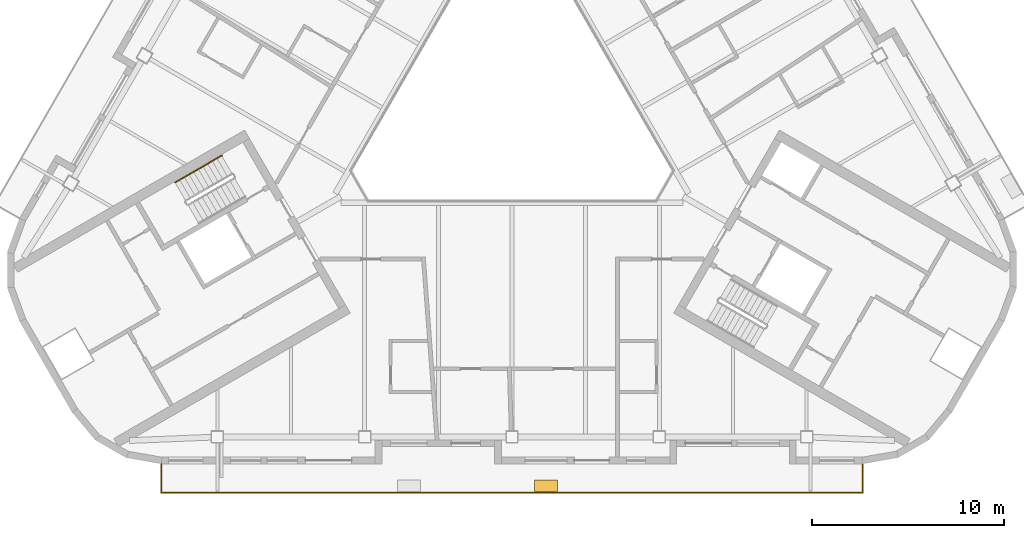
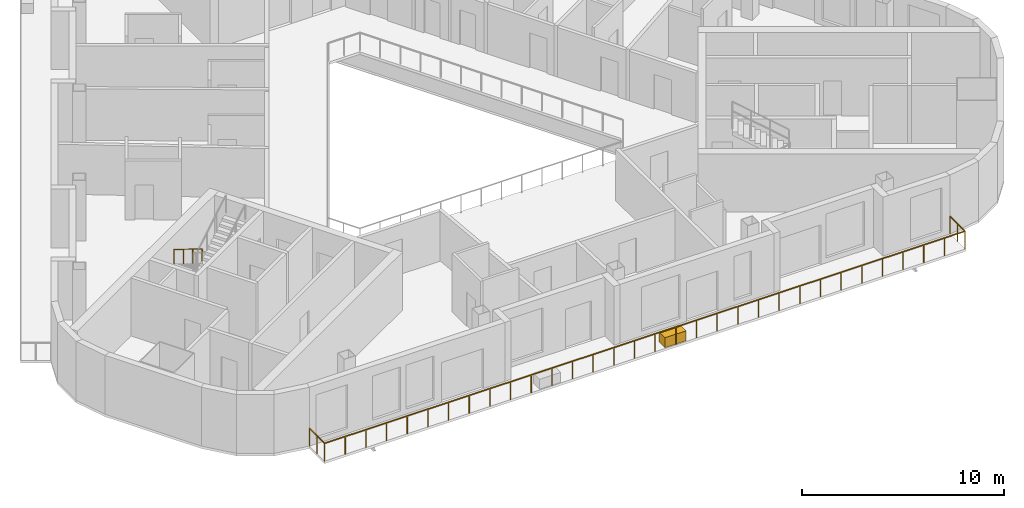
# One storey, part 10 of 14: 2 railings, 1 covering.
"""IFC4 building model written with IfcOpenShell, lengths in metres."""

from ifc_helpers import new_model, si_unit, direction, frame, origin, origin_2d, place, context, subcontext, project, spatial, rectangle, circle, extrude, material, type_object, element, save


model = new_model("IFC4")

# Units and contexts
model_context = context("Model", 3, precision=1e-05, world=origin(), true_north=direction((0.0, 1.0)))
body_context = subcontext(model_context, "Body", "Model", "MODEL_VIEW")
ifc_project = project(units=[si_unit("LENGTHUNIT", "METRE"), si_unit("AREAUNIT", "SQUARE_METRE"), si_unit("VOLUMEUNIT", "CUBIC_METRE"), si_unit("PLANEANGLEUNIT", "RADIAN"), si_unit("MASSUNIT", "GRAM", prefix="KILO")], contexts=[model_context])

# Site, building, storey
site_placement = place(None, origin())
site = spatial("IfcSite", under=ifc_project, at=site_placement, CompositionType="ELEMENT")
building_placement = place(site_placement, origin())
building = spatial("IfcBuilding", under=site, at=building_placement, Name="Apuvela Tower Hotel", CompositionType="ELEMENT")
storey_placement = place(building_placement, frame((0.0, 0.0, 261.5)))
storey = spatial("IfcBuildingStorey", under=building, at=storey_placement, Name="L64", CompositionType="ELEMENT", Elevation=261.5)

# Railings
ifc_material_1 = material(Name="Stainless steel 316 handrail", Category="steel")
railing_type_1 = type_object("IfcRailingType", Name="COR-HANDRAIL-900", PredefinedType="HANDRAIL", material=ifc_material_1)
railing_1_placement = place(storey_placement, frame((-15.118896484375, -3.01318359375, 0.168212890625)))
element("IfcRailing", 1, at=railing_1_placement, inside=storey, type_object=railing_type_1, Name="L64 ST2 stair handrail 1", PredefinedType="HANDRAIL", context=body_context, shape_type="SweptSolid", body=[
    extrude(circle(Radius=0.02392578125, at=origin_2d()), frame((0.0, 0.0, 0.8759765625), z_axis=(-0.742424030051, -0.428577407461, 0.514905783049), x_axis=(0.49994636267, -0.866056369097, 0.0)), (0.0, 0.0, 1.0), 3.266357421875),
    extrude(rectangle(XDim=0.0419921875, YDim=0.0419921875, at=origin_2d()), origin(), (0.0, 0.0, 1.0), 0.851806640625),
    extrude(rectangle(XDim=0.0419921875, YDim=0.0419921875, at=origin_2d()), frame((-0.808349609375, -0.466552734375, 0.560546875)), (0.0, 0.0, 1.0), 0.851806640625),
    extrude(rectangle(XDim=0.0419921875, YDim=0.0419921875, at=origin_2d()), frame((-1.61669921875, -0.933349609375, 1.121337890625)), (0.0, 0.0, 1.0), 0.851806640625),
    extrude(rectangle(XDim=0.0419921875, YDim=0.0419921875, at=origin_2d()), frame((-2.425048828125, -1.39990234375, 1.681884765625)), (0.0, 0.0, 1.0), 0.851806640625),
])
ifc_material_2 = material(Name="Stainless steel 316 rail with laminated glass infill", Category="steel")
railing_type_2 = type_object("IfcRailingType", Name="ENV-GUARD-1100", PredefinedType="GUARDRAIL", material=ifc_material_2)
railing_2_placement = place(storey_placement, frame((-18.272216796875, -19.06298828125, 0.0)))
element("IfcRailing", 2, at=railing_2_placement, inside=storey, type_object=railing_type_2, Name="Balcony guard S L64", PredefinedType="GUARDRAIL", context=body_context, shape_type="SweptSolid", body=[
    extrude(rectangle(XDim=0.050048828125, YDim=0.050048828125, at=origin_2d()), frame((0.0, 0.0, 1.0751953125), z_axis=(0.0, -1.0, 0.0), x_axis=(1.0, 0.0, 0.0)), (0.0, 0.0, 1.0), 1.5),
    extrude(rectangle(XDim=0.050048828125, YDim=0.050048828125, at=origin_2d()), frame((0.0, -1.5, 1.0751953125), z_axis=(1.0, 0.0, 0.0), x_axis=(0.0, 1.0, 0.0)), (0.0, 0.0, 1.0), 36.54443359375),
    extrude(rectangle(XDim=0.050048828125, YDim=0.050048828125, at=origin_2d()), frame((36.54443359375, -1.5, 1.0751953125), z_axis=(0.0, 1.0, 0.0), x_axis=(-1.0, 0.0, 0.0)), (0.0, 0.0, 1.0), 1.5),
    extrude(rectangle(XDim=0.0400390625, YDim=0.0400390625, at=origin_2d()), origin(), (0.0, 0.0, 1.0), 1.050048828125),
    extrude(rectangle(XDim=0.0400390625, YDim=0.0400390625, at=origin_2d()), frame((0.0, -0.75, 0.0)), (0.0, 0.0, 1.0), 1.050048828125),
    extrude(rectangle(XDim=0.0400390625, YDim=0.0400390625, at=origin_2d()), frame((0.0, -1.5, 0.0)), (0.0, 0.0, 1.0), 1.050048828125),
    extrude(rectangle(XDim=0.0400390625, YDim=0.0400390625, at=origin_2d()), frame((1.178955078125, -1.5, 0.0)), (0.0, 0.0, 1.0), 1.050048828125),
    extrude(rectangle(XDim=0.0400390625, YDim=0.0400390625, at=origin_2d()), frame((2.357666015625, -1.5, 0.0)), (0.0, 0.0, 1.0), 1.050048828125),
    extrude(rectangle(XDim=0.0400390625, YDim=0.0400390625, at=origin_2d()), frame((3.53662109375, -1.5, 0.0)), (0.0, 0.0, 1.0), 1.050048828125),
    extrude(rectangle(XDim=0.0400390625, YDim=0.0400390625, at=origin_2d()), frame((4.71533203125, -1.5, 0.0)), (0.0, 0.0, 1.0), 1.050048828125),
    extrude(rectangle(XDim=0.0400390625, YDim=0.0400390625, at=origin_2d()), frame((5.894287109375, -1.5, 0.0)), (0.0, 0.0, 1.0), 1.050048828125),
    extrude(rectangle(XDim=0.0400390625, YDim=0.0400390625, at=origin_2d()), frame((7.072998046875, -1.5, 0.0)), (0.0, 0.0, 1.0), 1.050048828125),
    extrude(rectangle(XDim=0.0400390625, YDim=0.0400390625, at=origin_2d()), frame((8.251953125, -1.5, 0.0)), (0.0, 0.0, 1.0), 1.050048828125),
    extrude(rectangle(XDim=0.0400390625, YDim=0.0400390625, at=origin_2d()), frame((9.430908203125, -1.5, 0.0)), (0.0, 0.0, 1.0), 1.050048828125),
    extrude(rectangle(XDim=0.0400390625, YDim=0.0400390625, at=origin_2d()), frame((10.609619140625, -1.5, 0.0)), (0.0, 0.0, 1.0), 1.050048828125),
    extrude(rectangle(XDim=0.0400390625, YDim=0.0400390625, at=origin_2d()), frame((11.78857421875, -1.5, 0.0)), (0.0, 0.0, 1.0), 1.050048828125),
    extrude(rectangle(XDim=0.0400390625, YDim=0.0400390625, at=origin_2d()), frame((12.96728515625, -1.5, 0.0)), (0.0, 0.0, 1.0), 1.050048828125),
    extrude(rectangle(XDim=0.0400390625, YDim=0.0400390625, at=origin_2d()), frame((14.146240234375, -1.5, 0.0)), (0.0, 0.0, 1.0), 1.050048828125),
    extrude(rectangle(XDim=0.0400390625, YDim=0.0400390625, at=origin_2d()), frame((15.3251953125, -1.5, 0.0)), (0.0, 0.0, 1.0), 1.050048828125),
    extrude(rectangle(XDim=0.0400390625, YDim=0.0400390625, at=origin_2d()), frame((16.50390625, -1.5, 0.0)), (0.0, 0.0, 1.0), 1.050048828125),
    extrude(rectangle(XDim=0.0400390625, YDim=0.0400390625, at=origin_2d()), frame((17.682861328125, -1.5, 0.0)), (0.0, 0.0, 1.0), 1.050048828125),
    extrude(rectangle(XDim=0.0400390625, YDim=0.0400390625, at=origin_2d()), frame((18.861572265625, -1.5, 0.0)), (0.0, 0.0, 1.0), 1.050048828125),
    extrude(rectangle(XDim=0.0400390625, YDim=0.0400390625, at=origin_2d()), frame((20.04052734375, -1.5, 0.0)), (0.0, 0.0, 1.0), 1.050048828125),
    extrude(rectangle(XDim=0.0400390625, YDim=0.0400390625, at=origin_2d()), frame((21.21923828125, -1.5, 0.0)), (0.0, 0.0, 1.0), 1.050048828125),
    extrude(rectangle(XDim=0.0400390625, YDim=0.0400390625, at=origin_2d()), frame((22.398193359375, -1.5, 0.0)), (0.0, 0.0, 1.0), 1.050048828125),
    extrude(rectangle(XDim=0.0400390625, YDim=0.0400390625, at=origin_2d()), frame((23.5771484375, -1.5, 0.0)), (0.0, 0.0, 1.0), 1.050048828125),
    extrude(rectangle(XDim=0.0400390625, YDim=0.0400390625, at=origin_2d()), frame((24.755859375, -1.5, 0.0)), (0.0, 0.0, 1.0), 1.050048828125),
    extrude(rectangle(XDim=0.0400390625, YDim=0.0400390625, at=origin_2d()), frame((25.934814453125, -1.5, 0.0)), (0.0, 0.0, 1.0), 1.050048828125),
    extrude(rectangle(XDim=0.0400390625, YDim=0.0400390625, at=origin_2d()), frame((27.113525390625, -1.5, 0.0)), (0.0, 0.0, 1.0), 1.050048828125),
    extrude(rectangle(XDim=0.0400390625, YDim=0.0400390625, at=origin_2d()), frame((28.29248046875, -1.5, 0.0)), (0.0, 0.0, 1.0), 1.050048828125),
    extrude(rectangle(XDim=0.0400390625, YDim=0.0400390625, at=origin_2d()), frame((29.471435546875, -1.5, 0.0)), (0.0, 0.0, 1.0), 1.050048828125),
    extrude(rectangle(XDim=0.0400390625, YDim=0.0400390625, at=origin_2d()), frame((30.650146484375, -1.5, 0.0)), (0.0, 0.0, 1.0), 1.050048828125),
    extrude(rectangle(XDim=0.0400390625, YDim=0.0400390625, at=origin_2d()), frame((31.8291015625, -1.5, 0.0)), (0.0, 0.0, 1.0), 1.050048828125),
    extrude(rectangle(XDim=0.0400390625, YDim=0.0400390625, at=origin_2d()), frame((33.0078125, -1.5, 0.0)), (0.0, 0.0, 1.0), 1.050048828125),
    extrude(rectangle(XDim=0.0400390625, YDim=0.0400390625, at=origin_2d()), frame((34.186767578125, -1.5, 0.0)), (0.0, 0.0, 1.0), 1.050048828125),
    extrude(rectangle(XDim=0.0400390625, YDim=0.0400390625, at=origin_2d()), frame((35.365478515625, -1.5, 0.0)), (0.0, 0.0, 1.0), 1.050048828125),
    extrude(rectangle(XDim=0.0400390625, YDim=0.0400390625, at=origin_2d()), frame((36.54443359375, -1.5, 0.0)), (0.0, 0.0, 1.0), 1.050048828125),
    extrude(rectangle(XDim=0.0400390625, YDim=0.0400390625, at=origin_2d()), frame((36.54443359375, -0.75, 0.0)), (0.0, 0.0, 1.0), 1.050048828125),
    extrude(rectangle(XDim=0.0400390625, YDim=0.0400390625, at=origin_2d()), frame((36.54443359375, 0.0, 0.0)), (0.0, 0.0, 1.0), 1.050048828125),
])

# Covering
ifc_material_3 = material(Name="Planting substrate and soil, planted")
covering_type = type_object("IfcCoveringType", Name="ENV-PLANTER-1200x600", PredefinedType="USERDEFINED", material=ifc_material_3)
covering_placement = place(storey_placement, frame((1.775146484375, -20.212890625, 0.0), z_axis=(0.0, 0.0, 1.0), x_axis=(1.0, 0.0, 0.0)))
element("IfcCovering", 3, at=covering_placement, inside=storey, type_object=covering_type, Name="Planter S2", ObjectType="PLANTER", PredefinedType="USERDEFINED", context=body_context, shape_type="SweptSolid", body=[
    extrude(rectangle(XDim=1.199951171875, YDim=0.60009765625, at=origin_2d()), origin(), (0.0, 0.0, 1.0), 0.60009765625),
])

save(model, "model.ifc")
